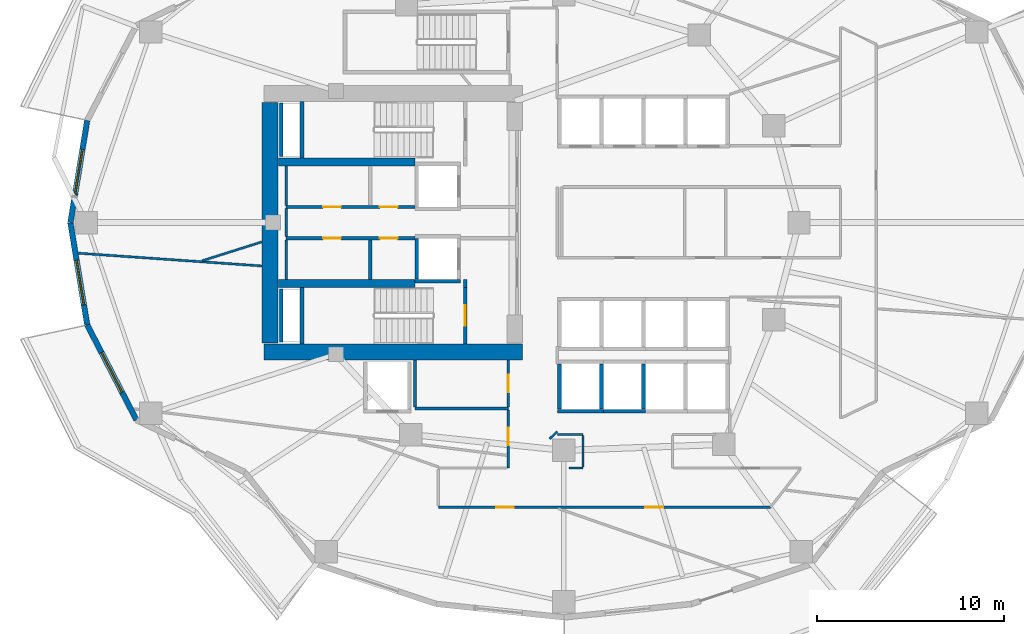
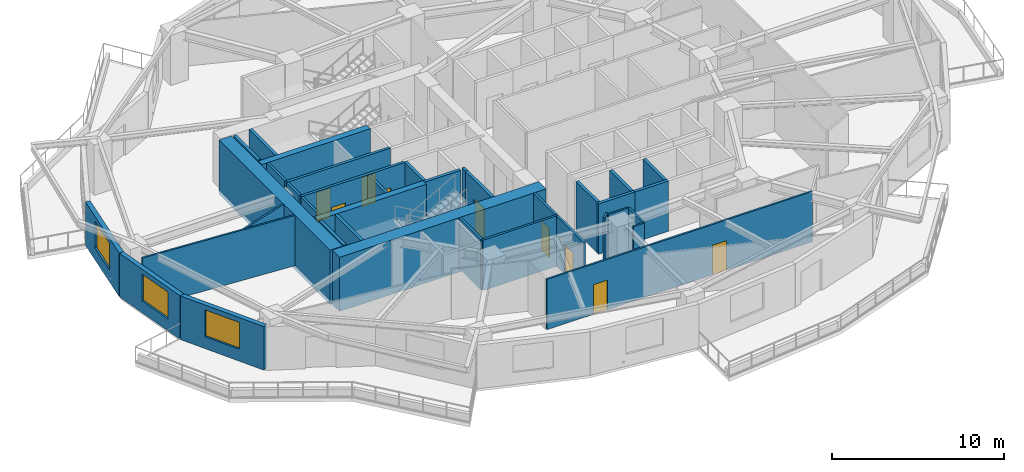
# One storey, part 3 of 11: 37 walls, 9 doors, 3 windows, 12 openings.
"""IFC4 building model written with IfcOpenShell, lengths in metres."""

from ifc_helpers import new_model, si_unit, direction, frame, frame_2d, origin, place, context, subcontext, project, spatial, rectangle, extrude, material, layer, layer_set, type_object, element, fill, save


model = new_model("IFC4")

# Units and contexts
model_context = context("Model", 3, precision=1e-05, world=origin(), true_north=direction((0.0, 1.0)))
body_context = subcontext(model_context, "Body", "Model", "MODEL_VIEW")
ifc_project = project(units=[si_unit("LENGTHUNIT", "METRE"), si_unit("AREAUNIT", "SQUARE_METRE"), si_unit("VOLUMEUNIT", "CUBIC_METRE"), si_unit("PLANEANGLEUNIT", "RADIAN"), si_unit("MASSUNIT", "GRAM", prefix="KILO")], contexts=[model_context])

# Site, building, storey
site_placement = place(None, origin())
site = spatial("IfcSite", under=ifc_project, at=site_placement, CompositionType="ELEMENT")
building_placement = place(site_placement, origin())
building = spatial("IfcBuilding", under=site, at=building_placement, Name="Kolvaren Gate Tower and Convention Centre", CompositionType="ELEMENT")
storey_placement = place(building_placement, frame((0.0, 0.0, 80.39990234375)))
storey = spatial("IfcBuildingStorey", under=building, at=storey_placement, Name="L19", CompositionType="ELEMENT", Elevation=80.39990234375)

# Wall
ifc_material_1 = material(Name="Autoclaved Aerated Masonry Blockwork Class 4 (4.0 MPa)", Category="masonry")
ifc_layer_1 = layer(ifc_material_1, 0.179931640625)
ifc_layer_set_1 = layer_set([ifc_layer_1], Name="Autoclaved Aerated Masonry Blockwork Class 4 (4.0 MPa)")
wall_type_1 = type_object("IfcWallType", Name="ARCH-WL-COMP-180", PredefinedType="SOLIDWALL", material=ifc_layer_set_1)
wall_1_placement = place(storey_placement, frame((24.85009765625, 23.5400390625, 0.0), z_axis=(0.0, 0.0, 1.0), x_axis=(0.0, 1.0, 0.0)))
element("IfcWall", 1, at=wall_1_placement, inside=storey, type_object=wall_type_1, Name="Interior Partition WL-L19-INT-001", PredefinedType="SOLIDWALL", context=body_context, shape_type="SweptSolid", body=[
    extrude(rectangle(XDim=0.419921875, YDim=0.179931640625, at=frame_2d((0.2099609375, 0.0))), origin(), (0.0, 0.0, 1.0), 3.570068359375),
])

# Wall, openings, doors
wall_2_placement = place(storey_placement, frame((15.25, 27.840087890625, 0.0), z_axis=(0.0, 0.0, 1.0), x_axis=(1.0, 0.0, 0.0)))
wall_2 = element("IfcWall", 2, at=wall_2_placement, inside=storey, type_object=wall_type_1, Name="Interior Partition WL-L19-INT-004", PredefinedType="SOLIDWALL", context=body_context, shape_type="SweptSolid", body=[
    extrude(rectangle(XDim=6.89990234375, YDim=0.179931640625, at=frame_2d((3.449951171875, 0.0))), origin(), (0.0, 0.0, 1.0), 3.570068359375),
])
opening_1_placement = place(wall_2_placement, frame((5.02001953125, 0.0, 0.0)))
opening_1 = element("IfcOpeningElement", 3, at=opening_1_placement, cuts=wall_2, Name="Opening DR-01", PredefinedType="OPENING", context=body_context, shape_type="SweptSolid", body=[
    extrude(rectangle(XDim=0.949951171875, YDim=2.10009765625, at=frame_2d((0.47509765625, 1.050048828125))), frame((0.0, 0.099853515625, 0.0), z_axis=(0.0, -1.0, 0.0), x_axis=(1.0, 0.0, 0.0)), (0.0, 0.0, 1.0), 0.199951171875),
])
opening_2_placement = place(wall_2_placement, frame((1.97998046875, 0.0, 0.0)))
opening_2 = element("IfcOpeningElement", 4, at=opening_2_placement, cuts=wall_2, Name="Opening DR-01", PredefinedType="OPENING", context=body_context, shape_type="SweptSolid", body=[
    extrude(rectangle(XDim=0.949951171875, YDim=2.10009765625, at=frame_2d((0.47509765625, 1.050048828125))), frame((0.0, 0.099853515625, 0.0), z_axis=(0.0, -1.0, 0.0), x_axis=(1.0, 0.0, 0.0)), (0.0, 0.0, 1.0), 0.199951171875),
])
ifc_material_2 = material(Name="Painted Architectural Steelwork ASTM A500 Grade C 345 MPa", Category="steel")
door_type_1 = type_object("IfcDoorType", Name="ARCH-DR-RISER-950", OperationType="SINGLE_SWING_RIGHT", PredefinedType="DOOR", material=ifc_material_2)
door_1_placement = place(opening_1_placement, origin())
door_1 = element("IfcDoor", 5, at=door_1_placement, inside=storey, type_object=door_type_1, Name="Electrical Switchgear Closet Door", OperationType="SINGLE_SWING_RIGHT", OverallHeight=2.10009765625, OverallWidth=0.949951171875, PredefinedType="DOOR", context=body_context, shape_type="SweptSolid", body=[
    extrude(rectangle(XDim=0.949951171875, YDim=2.10009765625, at=frame_2d((0.47509765625, 1.050048828125))), frame((0.0, 0.02490234375, 0.0), z_axis=(0.0, -1.0, 0.0), x_axis=(1.0, 0.0, 0.0)), (0.0, 0.0, 1.0), 0.050048828125),
])
fill(opening_1, door_1)
door_2_placement = place(opening_2_placement, origin())
door_2 = element("IfcDoor", 6, at=door_2_placement, inside=storey, type_object=door_type_1, Name="Staff Powder Washroom Door", OperationType="SINGLE_SWING_RIGHT", OverallHeight=2.10009765625, OverallWidth=0.949951171875, PredefinedType="DOOR", context=body_context, shape_type="SweptSolid", body=[
    extrude(rectangle(XDim=0.949951171875, YDim=2.10009765625, at=frame_2d((0.47509765625, 1.050048828125))), frame((0.0, 0.02490234375, 0.0), z_axis=(0.0, -1.0, 0.0), x_axis=(1.0, 0.0, 0.0)), (0.0, 0.0, 1.0), 0.050048828125),
])
fill(opening_2, door_2)

wall_3_placement = place(storey_placement, frame((15.25, 26.159912109375, 0.0), z_axis=(0.0, 0.0, 1.0), x_axis=(1.0, 0.0, 0.0)))
wall_3 = element("IfcWall", 7, at=wall_3_placement, inside=storey, type_object=wall_type_1, Name="Interior Partition WL-L19-INT-005", PredefinedType="SOLIDWALL", context=body_context, shape_type="SweptSolid", body=[
    extrude(rectangle(XDim=6.89990234375, YDim=0.179931640625, at=frame_2d((3.449951171875, 0.0))), origin(), (0.0, 0.0, 1.0), 3.570068359375),
])
opening_3_placement = place(wall_3_placement, frame((5.02001953125, 0.0, 0.0)))
opening_3 = element("IfcOpeningElement", 8, at=opening_3_placement, cuts=wall_3, Name="Opening DR-01", PredefinedType="OPENING", context=body_context, shape_type="SweptSolid", body=[
    extrude(rectangle(XDim=0.949951171875, YDim=2.10009765625, at=frame_2d((0.47509765625, 1.050048828125))), frame((0.0, 0.099853515625, 0.0), z_axis=(0.0, -1.0, 0.0), x_axis=(1.0, 0.0, 0.0)), (0.0, 0.0, 1.0), 0.199951171875),
])
opening_4_placement = place(wall_3_placement, frame((1.97998046875, 0.0, 0.0)))
opening_4 = element("IfcOpeningElement", 9, at=opening_4_placement, cuts=wall_3, Name="Opening DR-01", PredefinedType="OPENING", context=body_context, shape_type="SweptSolid", body=[
    extrude(rectangle(XDim=0.949951171875, YDim=2.10009765625, at=frame_2d((0.47509765625, 1.050048828125))), frame((0.0, 0.099853515625, 0.0), z_axis=(0.0, -1.0, 0.0), x_axis=(1.0, 0.0, 0.0)), (0.0, 0.0, 1.0), 0.199951171875),
])
door_3_placement = place(opening_3_placement, origin())
door_3 = element("IfcDoor", 10, at=door_3_placement, inside=storey, type_object=door_type_1, Name="Domestic Water Meter Closet Door", OperationType="SINGLE_SWING_LEFT", OverallHeight=2.10009765625, OverallWidth=0.949951171875, PredefinedType="DOOR", context=body_context, shape_type="SweptSolid", body=[
    extrude(rectangle(XDim=0.949951171875, YDim=2.10009765625, at=frame_2d((0.47509765625, 1.050048828125))), frame((0.0, 0.02490234375, 0.0), z_axis=(0.0, -1.0, 0.0), x_axis=(1.0, 0.0, 0.0)), (0.0, 0.0, 1.0), 0.050048828125),
])
fill(opening_3, door_3)
door_4_placement = place(opening_4_placement, origin())
door_4 = element("IfcDoor", 11, at=door_4_placement, inside=storey, type_object=door_type_1, Name="Janitor Equipment Store Door", OperationType="SINGLE_SWING_LEFT", OverallHeight=2.10009765625, OverallWidth=0.949951171875, PredefinedType="DOOR", context=body_context, shape_type="SweptSolid", body=[
    extrude(rectangle(XDim=0.949951171875, YDim=2.10009765625, at=frame_2d((0.47509765625, 1.050048828125))), frame((0.0, 0.02490234375, 0.0), z_axis=(0.0, -1.0, 0.0), x_axis=(1.0, 0.0, 0.0)), (0.0, 0.0, 1.0), 0.050048828125),
])
fill(opening_4, door_4)

# Walls
wall_4_placement = place(storey_placement, frame((19.75, 23.9619140625, 0.0), z_axis=(0.0, 0.0, 1.0), x_axis=(0.0, 1.0, 0.0)))
element("IfcWall", 12, at=wall_4_placement, inside=storey, type_object=wall_type_1, Name="Interior Partition WL-L19-INT-007", PredefinedType="SOLIDWALL", context=body_context, shape_type="SweptSolid", body=[
    extrude(rectangle(XDim=2.106201171875, YDim=0.179931640625, at=frame_2d((1.05322265625, 0.0))), origin(), (0.0, 0.0, 1.0), 3.570068359375),
])
ifc_material_3 = material(Name="Fire-Rated Acoustic Gypsum Stud Partition", Category="gypsum")
ifc_layer_2 = layer(ifc_material_3, 0.1201171875)
ifc_layer_set_2 = layer_set([ifc_layer_2], Name="Fire-Rated Acoustic Gypsum Stud Partition")
wall_type_2 = type_object("IfcWallType", Name="ARCH-WL-PART-120", PredefinedType="PARTITIONING", material=ifc_layer_set_2)
wall_5_placement = place(storey_placement, frame((29.780029296875, 15.64990234375, 0.0), z_axis=(0.0, 0.0, 1.0), x_axis=(1.0, 0.0, 0.0)))
element("IfcWall", 13, at=wall_5_placement, inside=storey, type_object=wall_type_2, Name="Interior Partition WL-L19-INT-017", PredefinedType="PARTITIONING", context=body_context, shape_type="SweptSolid", body=[
    extrude(rectangle(XDim=1.369873046875, YDim=0.1201171875, at=frame_2d((0.68505859375, 0.0))), origin(), (0.0, 0.0, 1.0), 3.570068359375),
])
wall_6_placement = place(storey_placement, frame((30.39111328125, 13.85009765625, 0.0), z_axis=(0.0, 0.0, 1.0), x_axis=(1.0, 0.0, 0.0)))
element("IfcWall", 14, at=wall_6_placement, inside=storey, type_object=wall_type_2, Name="Interior Partition WL-L19-INT-021", PredefinedType="PARTITIONING", context=body_context, shape_type="SweptSolid", body=[
    extrude(rectangle(XDim=0.7587890625, YDim=0.1201171875, at=frame_2d((0.37939453125, 0.0))), origin(), (0.0, 0.0, 1.0), 3.570068359375),
])

# Wall, openings, doors
wall_7_placement = place(storey_placement, frame((23.39990234375, 11.75, 0.0), z_axis=(0.0, 0.0, 1.0), x_axis=(1.0, 0.0, 0.0)))
wall_7 = element("IfcWall", 15, at=wall_7_placement, inside=storey, type_object=wall_type_2, Name="Interior Partition WL-L19-INT-024", PredefinedType="PARTITIONING", context=body_context, shape_type="SweptSolid", body=[
    extrude(rectangle(XDim=17.798095703125, YDim=0.1201171875, at=frame_2d((8.89892578125, 0.0))), origin(), (0.0, 0.0, 1.0), 3.570068359375),
])
opening_5_placement = place(wall_7_placement, frame((3.09375, 0.0, 0.0)))
opening_5 = element("IfcOpeningElement", 16, at=opening_5_placement, cuts=wall_7, Name="Opening DR-01", PredefinedType="OPENING", context=body_context, shape_type="SweptSolid", body=[
    extrude(rectangle(XDim=0.949951171875, YDim=2.10009765625, at=frame_2d((0.47509765625, 1.050048828125))), frame((0.0, 0.070068359375, 0.0), z_axis=(0.0, -1.0, 0.0), x_axis=(1.0, 0.0, 0.0)), (0.0, 0.0, 1.0), 0.14013671875),
])
opening_6_placement = place(wall_7_placement, frame((11.09130859375, 0.0, 0.0)))
opening_6 = element("IfcOpeningElement", 17, at=opening_6_placement, cuts=wall_7, Name="Opening DR-01", PredefinedType="OPENING", context=body_context, shape_type="SweptSolid", body=[
    extrude(rectangle(XDim=0.949951171875, YDim=2.10009765625, at=frame_2d((0.47509765625, 1.050048828125))), frame((0.0, 0.070068359375, 0.0), z_axis=(0.0, -1.0, 0.0), x_axis=(1.0, 0.0, 0.0)), (0.0, 0.0, 1.0), 0.14013671875),
])
door_5_placement = place(opening_5_placement, origin())
door_5 = element("IfcDoor", 18, at=door_5_placement, inside=storey, type_object=door_type_1, Name="Operations Support Staff Centre Door", OperationType="SINGLE_SWING_RIGHT", OverallHeight=2.10009765625, OverallWidth=0.949951171875, PredefinedType="DOOR", context=body_context, shape_type="SweptSolid", body=[
    extrude(rectangle(XDim=0.949951171875, YDim=2.10009765625, at=frame_2d((0.47509765625, 1.050048828125))), frame((0.0, 0.02490234375, 0.0), z_axis=(0.0, -1.0, 0.0), x_axis=(1.0, 0.0, 0.0)), (0.0, 0.0, 1.0), 0.050048828125),
])
fill(opening_5, door_5)
door_6_placement = place(opening_6_placement, origin())
door_6 = element("IfcDoor", 19, at=door_6_placement, inside=storey, type_object=door_type_1, Name="First-Aid Crew Room Door", OperationType="SINGLE_SWING_LEFT", OverallHeight=2.10009765625, OverallWidth=0.949951171875, PredefinedType="DOOR", context=body_context, shape_type="SweptSolid", body=[
    extrude(rectangle(XDim=0.949951171875, YDim=2.10009765625, at=frame_2d((0.47509765625, 1.050048828125))), frame((0.0, 0.02490234375, 0.0), z_axis=(0.0, -1.0, 0.0), x_axis=(1.0, 0.0, 0.0)), (0.0, 0.0, 1.0), 0.050048828125),
])
fill(opening_6, door_6)

# Walls
wall_8_placement = place(storey_placement, frame((29.366943359375, 15.422119140625, 0.0), z_axis=(0.0, 0.0, 1.0), x_axis=(0.730667420492, 0.682733564893, 0.0)))
element("IfcWall", 20, at=wall_8_placement, inside=storey, type_object=wall_type_2, Name="Interior Partition WL-L19-INT-040", PredefinedType="PARTITIONING", context=body_context, shape_type="SweptSolid", body=[
    extrude(rectangle(XDim=0.5654296875, YDim=0.1201171875, at=frame_2d((0.28271484375, 0.0))), origin(), (0.0, 0.0, 1.0), 3.570068359375),
])
wall_9_placement = place(storey_placement, frame((31.14990234375, 13.912109375, 0.0), z_axis=(0.0, 0.0, 1.0), x_axis=(0.0, 1.0, 0.0)))
element("IfcWall", 21, at=wall_9_placement, inside=storey, type_object=wall_type_2, Name="Interior Partition WL-L19-INT-041", PredefinedType="PARTITIONING", context=body_context, shape_type="SweptSolid", body=[
    extrude(rectangle(XDim=1.67578125, YDim=0.1201171875, at=frame_2d((0.837890625, 0.0))), origin(), (0.0, 0.0, 1.0), 3.570068359375),
])
wall_10_placement = place(storey_placement, frame((4.1103515625, 25.365966796875, 0.0), z_axis=(0.0, 0.0, 1.0), x_axis=(0.997584166379, -0.069468201287, 0.0)))
element("IfcWall", 22, at=wall_10_placement, inside=storey, type_object=wall_type_2, Name="Interior Partition WL-L19-INT-042", PredefinedType="PARTITIONING", context=body_context, shape_type="SweptSolid", body=[
    extrude(rectangle(XDim=9.861572265625, YDim=0.1201171875, at=frame_2d((4.9306640625, 0.0))), origin(), (0.0, 0.0, 1.0), 3.570068359375),
])
wall_11_placement = place(storey_placement, frame((10.76220703125, 24.965087890625, 0.0), z_axis=(0.0, 0.0, 1.0), x_axis=(0.953640082092, 0.300949487168, 0.0)))
element("IfcWall", 23, at=wall_11_placement, inside=storey, type_object=wall_type_2, Name="Interior Partition WL-L19-INT-049", PredefinedType="PARTITIONING", context=body_context, shape_type="SweptSolid", body=[
    extrude(rectangle(XDim=3.340576171875, YDim=0.1201171875, at=frame_2d((1.67041015625, 0.0))), origin(), (0.0, 0.0, 1.0), 3.570068359375),
])
ifc_layer_3 = layer(ifc_material_1, 0.199951171875)
ifc_layer_set_3 = layer_set([ifc_layer_3], Name="Autoclaved Aerated Masonry Blockwork Class 4 (4.0 MPa)")
wall_type_3 = type_object("IfcWallType", Name="ARCH-WL-SHAFT-200", PredefinedType="SOLIDWALL", material=ifc_layer_set_3)
wall_12_placement = place(storey_placement, frame((22.14990234375, 23.860107421875, 0.0), z_axis=(0.0, 0.0, 1.0), x_axis=(1.0, 0.0, 0.0)))
element("IfcWall", 24, at=wall_12_placement, inside=storey, type_object=wall_type_3, Name="Elevator FF-02 L19 Fire Shaft Wall S", PredefinedType="SOLIDWALL", context=body_context, shape_type="SweptSolid", body=[
    extrude(rectangle(XDim=2.4501953125, YDim=0.199951171875, at=frame_2d((1.22509765625, 0.0))), origin(), (0.0, 0.0, 1.0), 3.570068359375),
])
wall_13_placement = place(storey_placement, frame((22.25, 23.969970703125, 0.0), z_axis=(0.0, 0.0, 1.0), x_axis=(0.0, 1.0, 0.0)))
element("IfcWall", 25, at=wall_13_placement, inside=storey, type_object=wall_type_3, Name="Elevator FF-02 L19 Fire Shaft Wall W", PredefinedType="SOLIDWALL", context=body_context, shape_type="SweptSolid", body=[
    extrude(rectangle(XDim=2.179931640625, YDim=0.199951171875, at=frame_2d((1.08984375, 0.0))), origin(), (0.0, 0.0, 1.0), 3.570068359375),
])
wall_14_placement = place(storey_placement, frame((29.800048828125, 16.89990234375, 0.0), z_axis=(0.0, 0.0, 1.0), x_axis=(1.0, 0.0, 0.0)))
element("IfcWall", 26, at=wall_14_placement, inside=storey, type_object=wall_type_3, Name="Elevator PL-05 L19 Fire Shaft Wall S", PredefinedType="SOLIDWALL", context=body_context, shape_type="SweptSolid", body=[
    extrude(rectangle(XDim=2.449951171875, YDim=0.199951171875, at=frame_2d((1.22509765625, 0.0))), origin(), (0.0, 0.0, 1.0), 3.570068359375),
])
for number, where, z_axis, x_axis, name in (
    (27, (29.89990234375, 17.010009765625, 0.0), (0.0, 0.0, 1.0), (0.0, 1.0, 0.0), "Elevator PL-05 L19 Fire Shaft Wall W"),
    (28, (32.14990234375, 17.010009765625, 0.0), (0.0, 0.0, 1.0), (0.0, 1.0, 0.0), "Elevator PL-05 L19 Fire Shaft Wall E"),
):
    element("IfcWall", number, at=place(storey_placement, frame(where, z_axis=z_axis, x_axis=x_axis)), inside=storey, type_object=wall_type_3, Name=name, PredefinedType="SOLIDWALL", context=body_context, shape_type="SweptSolid", body=[
        extrude(rectangle(XDim=2.429931640625, YDim=0.199951171875, at=frame_2d((1.21484375, 0.0))), origin(), (0.0, 0.0, 1.0), 3.570068359375),
    ])
wall_15_placement = place(storey_placement, frame((32.25, 16.89990234375, 0.0), z_axis=(0.0, 0.0, 1.0), x_axis=(1.0, 0.0, 0.0)))
element("IfcWall", 29, at=wall_15_placement, inside=storey, type_object=wall_type_3, Name="Elevator PL-06 L19 Fire Shaft Wall S", PredefinedType="SOLIDWALL", context=body_context, shape_type="SweptSolid", body=[
    extrude(rectangle(XDim=2.25, YDim=0.199951171875, at=frame_2d((1.125, 0.0))), origin(), (0.0, 0.0, 1.0), 3.570068359375),
])
wall_16_placement = place(storey_placement, frame((34.39990234375, 17.010009765625, 0.0), z_axis=(0.0, 0.0, 1.0), x_axis=(0.0, 1.0, 0.0)))
element("IfcWall", 30, at=wall_16_placement, inside=storey, type_object=wall_type_3, Name="Elevator PL-06 L19 Fire Shaft Wall E", PredefinedType="SOLIDWALL", context=body_context, shape_type="SweptSolid", body=[
    extrude(rectangle(XDim=2.429931640625, YDim=0.199951171875, at=frame_2d((1.21484375, 0.0))), origin(), (0.0, 0.0, 1.0), 3.570068359375),
])
for number, where, z_axis, x_axis, name in (
    (31, (14.989990234375, 30.550048828125, 0.0), (0.0, 0.0, 1.0), (0.0, 1.0, 0.0), "Vertical Shaft HVR L19 EI-120 Enclosure Wall W"),
    (32, (14.989990234375, 20.60009765625, 0.0), (0.0, 0.0, 1.0), (0.0, 1.0, 0.0), "Vertical Shaft MPR L19 EI-120 Enclosure Wall W"),
):
    element("IfcWall", number, at=place(storey_placement, frame(where, z_axis=z_axis, x_axis=x_axis)), inside=storey, type_object=wall_type_3, Name=name, PredefinedType="SOLIDWALL", context=body_context, shape_type="SweptSolid", body=[
        extrude(rectangle(XDim=2.849853515625, YDim=0.199951171875, at=frame_2d((1.4248046875, 0.0))), origin(), (0.0, 0.0, 1.0), 3.570068359375),
    ])

# Wall, opening, window
ifc_material_4 = material(Name="Piedmont Cream Honed Limestone Cladding", Category="masonry")
ifc_layer_4 = layer(ifc_material_4, 0.300048828125)
ifc_layer_set_4 = layer_set([ifc_layer_4], Name="Piedmont Cream Honed Limestone Cladding")
wall_type_4 = type_object("IfcWallType", Name="ARCH-WL-STONE-300", PredefinedType="SOLIDWALL", material=ifc_layer_set_4)
wall_17_placement = place(storey_placement, frame((3.6875, 27.0, 0.0), z_axis=(0.0, 0.0, 1.0), x_axis=(0.162386212206, 0.986727276447, 0.0)))
wall_17 = element("IfcWall", 33, at=wall_17_placement, inside=storey, type_object=wall_type_4, Name="Tower L19 Honed Stone Spandrel Wall EW-11", PredefinedType="SOLIDWALL", context=body_context, shape_type="SweptSolid", body=[
    extrude(rectangle(XDim=5.5478515625, YDim=0.300048828125, at=frame_2d((2.77392578125, 0.0))), origin(), (0.0, 0.0, 1.0), 3.093017578125),
])
opening_7_placement = place(wall_17_placement, frame((1.573974609375, 0.0, 0.85009765625)))
opening_7 = element("IfcOpeningElement", 34, at=opening_7_placement, cuts=wall_17, Name="Opening W-01", PredefinedType="OPENING", context=body_context, shape_type="SweptSolid", body=[
    extrude(rectangle(XDim=2.39990234375, YDim=1.89990234375, at=frame_2d((1.199951171875, 0.949951171875))), frame((0.0, 0.159912109375, 0.0), z_axis=(0.0, -1.0, 0.0), x_axis=(1.0, 0.0, 0.0)), (0.0, 0.0, 1.0), 0.320068359375),
])
ifc_material_5 = material(Name="Low-E Triple Insulated Glazing Unit 44 mm", Category="glass")
window_type = type_object("IfcWindowType", Name="ARCH-WN-OFF-2400", PartitioningType="SINGLE_PANEL", PredefinedType="WINDOW", material=ifc_material_5)
window_1_placement = place(opening_7_placement, origin())
window_1 = element("IfcWindow", 35, at=window_1_placement, inside=storey, type_object=window_type, Name="Tower L19 Punched Stone Facade Window W-11", OverallHeight=1.89990234375, OverallWidth=2.39990234375, PartitioningType="SINGLE_PANEL", PredefinedType="WINDOW", context=body_context, shape_type="SweptSolid", body=[
    extrude(rectangle(XDim=2.39990234375, YDim=1.89990234375, at=frame_2d((1.199951171875, 0.949951171875))), frame((0.0, 0.030029296875, 0.0), z_axis=(0.0, -1.0, 0.0), x_axis=(1.0, 0.0, 0.0)), (0.0, 0.0, 1.0), 0.06005859375),
])
fill(opening_7, window_1)

wall_18_placement = place(storey_placement, frame((3.6875, 27.0, 0.0), z_axis=(0.0, 0.0, 1.0), x_axis=(0.162386212206, -0.986727276447, 0.0)))
wall_18 = element("IfcWall", 36, at=wall_18_placement, inside=storey, type_object=wall_type_4, Name="Tower L19 Honed Stone Spandrel Wall EW-12", PredefinedType="SOLIDWALL", context=body_context, shape_type="SweptSolid", body=[
    extrude(rectangle(XDim=5.5478515625, YDim=0.300048828125, at=frame_2d((2.77392578125, 0.0))), origin(), (0.0, 0.0, 1.0), 3.093017578125),
])
opening_8_placement = place(wall_18_placement, frame((2.050048828125, 0.0, 0.85009765625)))
opening_8 = element("IfcOpeningElement", 37, at=opening_8_placement, cuts=wall_18, Name="Opening W-01", PredefinedType="OPENING", context=body_context, shape_type="SweptSolid", body=[
    extrude(rectangle(XDim=2.39990234375, YDim=1.89990234375, at=frame_2d((1.199951171875, 0.949951171875))), frame((0.0, 0.159912109375, 0.0), z_axis=(0.0, -1.0, 0.0), x_axis=(1.0, 0.0, 0.0)), (0.0, 0.0, 1.0), 0.320068359375),
])
window_2_placement = place(opening_8_placement, origin())
window_2 = element("IfcWindow", 38, at=window_2_placement, inside=storey, type_object=window_type, Name="Tower L19 Punched Stone Facade Window W-12", OverallHeight=1.89990234375, OverallWidth=2.39990234375, PartitioningType="SINGLE_PANEL", PredefinedType="WINDOW", context=body_context, shape_type="SweptSolid", body=[
    extrude(rectangle(XDim=2.39990234375, YDim=1.89990234375, at=frame_2d((1.199951171875, 0.949951171875))), frame((0.0, 0.030029296875, 0.0), z_axis=(0.0, -1.0, 0.0), x_axis=(1.0, 0.0, 0.0)), (0.0, 0.0, 1.0), 0.06005859375),
])
fill(opening_8, window_2)

wall_19_placement = place(storey_placement, frame((4.58837890625, 21.52587890625, 0.0), z_axis=(0.0, 0.0, 1.0), x_axis=(0.459800981414, -0.888021991558, 0.0)))
wall_19 = element("IfcWall", 39, at=wall_19_placement, inside=storey, type_object=wall_type_4, Name="Tower L19 Honed Stone Spandrel Wall EW-13", PredefinedType="SOLIDWALL", context=body_context, shape_type="SweptSolid", body=[
    extrude(rectangle(XDim=5.744140625, YDim=0.300048828125, at=frame_2d((2.8720703125, 0.0))), origin(), (0.0, 0.0, 1.0), 3.093017578125),
])
opening_9_placement = place(wall_19_placement, frame((1.672119140625, 0.0, 0.85009765625)))
opening_9 = element("IfcOpeningElement", 40, at=opening_9_placement, cuts=wall_19, Name="Opening W-01", PredefinedType="OPENING", context=body_context, shape_type="SweptSolid", body=[
    extrude(rectangle(XDim=2.39990234375, YDim=1.89990234375, at=frame_2d((1.199951171875, 0.949951171875))), frame((0.0, 0.159912109375, 0.0), z_axis=(0.0, -1.0, 0.0), x_axis=(1.0, 0.0, 0.0)), (0.0, 0.0, 1.0), 0.320068359375),
])
window_3_placement = place(opening_9_placement, origin())
window_3 = element("IfcWindow", 41, at=window_3_placement, inside=storey, type_object=window_type, Name="Tower L19 Punched Stone Facade Window W-13", OverallHeight=1.89990234375, OverallWidth=2.39990234375, PartitioningType="SINGLE_PANEL", PredefinedType="WINDOW", context=body_context, shape_type="SweptSolid", body=[
    extrude(rectangle(XDim=2.39990234375, YDim=1.89990234375, at=frame_2d((1.199951171875, 0.949951171875))), frame((0.0, 0.030029296875, 0.0), z_axis=(0.0, -1.0, 0.0), x_axis=(1.0, 0.0, 0.0)), (0.0, 0.0, 1.0), 0.06005859375),
])
fill(opening_9, window_3)

# Walls
ifc_material_6 = material(Name="Moisture-Resistant Cement-Board Acoustic Partition", Category="gypsum")
ifc_layer_5 = layer(ifc_material_6, 0.14990234375)
ifc_layer_set_5 = layer_set([ifc_layer_5], Name="Moisture-Resistant Cement-Board Acoustic Partition")
wall_type_5 = type_object("IfcWallType", Name="ARCH-WL-WET-150", PredefinedType="PARTITIONING", material=ifc_layer_set_5)
wall_20_placement = place(storey_placement, frame((15.25, 23.9619140625, 0.0), z_axis=(0.0, 0.0, 1.0), x_axis=(0.0, 1.0, 0.0)))
element("IfcWall", 42, at=wall_20_placement, inside=storey, type_object=wall_type_5, Name="Interior Partition WL-L19-INT-006", PredefinedType="PARTITIONING", context=body_context, shape_type="SweptSolid", body=[
    extrude(rectangle(XDim=2.106201171875, YDim=0.14990234375, at=frame_2d((1.05322265625, 0.0))), origin(), (0.0, 0.0, 1.0), 3.570068359375),
])
wall_21_placement = place(storey_placement, frame((15.25, 26.251953125, 0.0), z_axis=(0.0, 0.0, 1.0), x_axis=(0.0, 1.0, 0.0)))
element("IfcWall", 43, at=wall_21_placement, inside=storey, type_object=wall_type_5, Name="Interior Partition WL-L19-INT-006 (2)", PredefinedType="PARTITIONING", context=body_context, shape_type="SweptSolid", body=[
    extrude(rectangle(XDim=1.49609375, YDim=0.14990234375, at=frame_2d((0.748046875, 0.0))), origin(), (0.0, 0.0, 1.0), 3.570068359375),
])
wall_22_placement = place(storey_placement, frame((15.25, 27.931884765625, 0.0), z_axis=(0.0, 0.0, 1.0), x_axis=(0.0, 1.0, 0.0)))
element("IfcWall", 44, at=wall_22_placement, inside=storey, type_object=wall_type_5, Name="Interior Partition WL-L19-INT-006 (3)", PredefinedType="PARTITIONING", context=body_context, shape_type="SweptSolid", body=[
    extrude(rectangle(XDim=2.106201171875, YDim=0.14990234375, at=frame_2d((1.05322265625, 0.0))), origin(), (0.0, 0.0, 1.0), 3.570068359375),
])
wall_23_placement = place(storey_placement, frame((22.14990234375, 17.050048828125, 0.0), z_axis=(0.0, 0.0, 1.0), x_axis=(1.0, 0.0, 0.0)))
element("IfcWall", 45, at=wall_23_placement, inside=storey, type_object=wall_type_5, Name="Interior Partition WL-L19-INT-009", PredefinedType="PARTITIONING", context=body_context, shape_type="SweptSolid", body=[
    extrude(rectangle(XDim=5.0, YDim=0.14990234375, at=frame_2d((2.5, 0.0))), origin(), (0.0, 0.0, 1.0), 3.570068359375),
])
wall_24_placement = place(storey_placement, frame((22.14990234375, 17.126953125, 0.0), z_axis=(0.0, 0.0, 1.0), x_axis=(0.0, 1.0, 0.0)))
element("IfcWall", 46, at=wall_24_placement, inside=storey, type_object=wall_type_5, Name="Interior Partition WL-L19-INT-010", PredefinedType="PARTITIONING", context=body_context, shape_type="SweptSolid", body=[
    extrude(rectangle(XDim=2.52099609375, YDim=0.14990234375, at=frame_2d((1.260498046875, 0.0))), origin(), (0.0, 0.0, 1.0), 3.570068359375),
])

# Wall, opening, door
wall_25_placement = place(storey_placement, frame((27.14990234375, 13.85009765625, 0.0), z_axis=(0.0, 0.0, 1.0), x_axis=(0.0, 1.0, 0.0)))
wall_25 = element("IfcWall", 47, at=wall_25_placement, inside=storey, type_object=wall_type_5, Name="Interior Partition WL-L19-INT-011", PredefinedType="PARTITIONING", context=body_context, shape_type="SweptSolid", body=[
    extrude(rectangle(XDim=3.122802734375, YDim=0.14990234375, at=frame_2d((1.5615234375, 0.0))), origin(), (0.0, 0.0, 1.0), 3.570068359375),
])
opening_10_placement = place(wall_25_placement, frame((1.218017578125, 0.0, 0.0)))
opening_10 = element("IfcOpeningElement", 48, at=opening_10_placement, cuts=wall_25, Name="Opening DR-01", PredefinedType="OPENING", context=body_context, shape_type="SweptSolid", body=[
    extrude(rectangle(XDim=0.949951171875, YDim=2.10009765625, at=frame_2d((0.47509765625, 1.050048828125))), frame((0.0, 0.0849609375, 0.0), z_axis=(0.0, -1.0, 0.0), x_axis=(1.0, 0.0, 0.0)), (0.0, 0.0, 1.0), 0.169921875),
])
door_7_placement = place(opening_10_placement, origin())
door_7 = element("IfcDoor", 49, at=door_7_placement, inside=storey, type_object=door_type_1, Name="Operations Support Staff Centre Door", OperationType="SINGLE_SWING_LEFT", OverallHeight=2.10009765625, OverallWidth=0.949951171875, PredefinedType="DOOR", context=body_context, shape_type="SweptSolid", body=[
    extrude(rectangle(XDim=0.949951171875, YDim=2.10009765625, at=frame_2d((0.47509765625, 1.050048828125))), frame((0.0, 0.02490234375, 0.0), z_axis=(0.0, -1.0, 0.0), x_axis=(1.0, 0.0, 0.0)), (0.0, 0.0, 1.0), 0.050048828125),
])
fill(opening_10, door_7)

wall_26_placement = place(storey_placement, frame((27.14990234375, 17.126953125, 0.0), z_axis=(0.0, 0.0, 1.0), x_axis=(0.0, 1.0, 0.0)))
wall_26 = element("IfcWall", 50, at=wall_26_placement, inside=storey, type_object=wall_type_5, Name="Interior Partition WL-L19-INT-011 (2)", PredefinedType="PARTITIONING", context=body_context, shape_type="SweptSolid", body=[
    extrude(rectangle(XDim=2.52099609375, YDim=0.14990234375, at=frame_2d((1.260498046875, 0.0))), origin(), (0.0, 0.0, 1.0), 3.570068359375),
])
opening_11_placement = place(wall_26_placement, frame((0.785400390625, 0.0, 0.0)))
opening_11 = element("IfcOpeningElement", 51, at=opening_11_placement, cuts=wall_26, Name="Opening DR-01", PredefinedType="OPENING", context=body_context, shape_type="SweptSolid", body=[
    extrude(rectangle(XDim=0.949951171875, YDim=2.10009765625, at=frame_2d((0.47509765625, 1.050048828125))), frame((0.0, 0.0849609375, 0.0), z_axis=(0.0, -1.0, 0.0), x_axis=(1.0, 0.0, 0.0)), (0.0, 0.0, 1.0), 0.169921875),
])
door_8_placement = place(opening_11_placement, origin())
door_8 = element("IfcDoor", 52, at=door_8_placement, inside=storey, type_object=door_type_1, Name="West Linen and Supply Store Door", OperationType="SINGLE_SWING_RIGHT", OverallHeight=2.10009765625, OverallWidth=0.949951171875, PredefinedType="DOOR", context=body_context, shape_type="SweptSolid", body=[
    extrude(rectangle(XDim=0.949951171875, YDim=2.10009765625, at=frame_2d((0.47509765625, 1.050048828125))), frame((0.0, 0.02490234375, 0.0), z_axis=(0.0, -1.0, 0.0), x_axis=(1.0, 0.0, 0.0)), (0.0, 0.0, 1.0), 0.050048828125),
])
fill(opening_11, door_8)

# Walls
ifc_material_7 = material(Name="Concrete C50/60", Category="concrete")
ifc_layer_6 = layer(ifc_material_7, 0.419921875)
ifc_layer_set_6 = layer_set([ifc_layer_6], Name="Concrete C50/60")
wall_type_6 = type_object("IfcWallType", Name="STR-WL-CONV-420", PredefinedType="SHEAR", material=ifc_layer_set_6)
for number, where, z_axis, x_axis, name in (
    (53, (14.85009765625, 30.25, -0.27978515625), (0.0, 0.0, 1.0), (1.0, 0.0, 0.0), "Tower L19 Offset Core Shear Wall WN"),
    (54, (14.85009765625, 23.75, -0.27978515625), (0.0, 0.0, 1.0), (1.0, 0.0, 0.0), "Tower L19 Offset Core Shear Wall WS"),
):
    element("IfcWall", number, at=place(storey_placement, frame(where, z_axis=z_axis, x_axis=x_axis)), inside=storey, type_object=wall_type_6, Name=name, PredefinedType="SHEAR", context=body_context, shape_type="SweptSolid", body=[
        extrude(rectangle(XDim=7.2998046875, YDim=0.419921875, at=frame_2d((3.64990234375, 0.0))), origin(), (0.0, 0.0, 1.0), 3.849853515625),
    ])
ifc_material_8 = material(Name="Concrete C70/85", Category="concrete")
ifc_layer_7 = layer(ifc_material_8, 0.85009765625)
ifc_layer_set_7 = layer_set([ifc_layer_7], Name="Concrete C70/85")
wall_type_7 = type_object("IfcWallType", Name="STR-WL-CORE-850", PredefinedType="SHEAR", material=ifc_layer_set_7)
wall_27_placement = place(storey_placement, frame((14.074951171875, 20.074951171875, -0.27978515625), z_axis=(0.0, 0.0, 1.0), x_axis=(1.0, 0.0, 0.0)))
element("IfcWall", 55, at=wall_27_placement, inside=storey, type_object=wall_type_7, Name="Tower L19 Offset Core Shear Wall S", PredefinedType="SHEAR", context=body_context, shape_type="SweptSolid", body=[
    extrude(rectangle(XDim=13.85009765625, YDim=0.85009765625, at=frame_2d((6.925048828125, 0.0))), origin(), (0.0, 0.0, 1.0), 3.849853515625),
])
wall_28_placement = place(storey_placement, frame((14.375, 20.550048828125, -0.27978515625), z_axis=(0.0, 0.0, 1.0), x_axis=(0.0, 1.0, 0.0)))
element("IfcWall", 56, at=wall_28_placement, inside=storey, type_object=wall_type_7, Name="Tower L19 Offset Core Shear Wall W", PredefinedType="SHEAR", context=body_context, shape_type="SweptSolid", body=[
    extrude(rectangle(XDim=12.89990234375, YDim=0.85009765625, at=frame_2d((6.449951171875, 0.0))), origin(), (0.0, 0.0, 1.0), 3.849853515625),
])
ifc_layer_8 = layer(ifc_material_7, 0.199951171875)
ifc_layer_set_8 = layer_set([ifc_layer_8], Name="Concrete C50/60")
wall_type_8 = type_object("IfcWallType", Name="STR-WL-SHAFT-200", PredefinedType="SHEAR", material=ifc_layer_set_8)
wall_29_placement = place(storey_placement, frame((16.10009765625, 30.4619140625, -0.27978515625), z_axis=(0.0, 0.0, 1.0), x_axis=(0.0, 1.0, 0.0)))
element("IfcWall", 57, at=wall_29_placement, inside=storey, type_object=wall_type_8, Name="Tower North Exit Stair ST-T1 L19 Structural Shear Enclosure Wall FAR", PredefinedType="SHEAR", context=body_context, shape_type="SweptSolid", body=[
    extrude(rectangle(XDim=3.0361328125, YDim=0.199951171875, at=frame_2d((1.51806640625, 0.0))), origin(), (0.0, 0.0, 1.0), 3.849853515625),
])

# Wall, opening, door
wall_30_placement = place(storey_placement, frame((24.85009765625, 20.501953125, -0.27978515625), z_axis=(0.0, 0.0, 1.0), x_axis=(0.0, 1.0, 0.0)))
wall_30 = element("IfcWall", 58, at=wall_30_placement, inside=storey, type_object=wall_type_8, Name="Tower South Exit Stair ST-T2 L19 Structural Shear Enclosure Wall NEAR", PredefinedType="SHEAR", context=body_context, shape_type="SweptSolid", body=[
    extrude(rectangle(XDim=3.0380859375, YDim=0.199951171875, at=frame_2d((1.51904296875, 0.0))), origin(), (0.0, 0.0, 1.0), 3.849853515625),
])
opening_12_placement = place(wall_30_placement, frame((0.968994140625, 0.0, 0.280029296875)))
opening_12 = element("IfcOpeningElement", 59, at=opening_12_placement, cuts=wall_30, Name="Opening DS-01", PredefinedType="OPENING", context=body_context, shape_type="SweptSolid", body=[
    extrude(rectangle(XDim=1.10009765625, YDim=2.14990234375, at=frame_2d((0.550048828125, 1.074951171875))), frame((0.0, 0.10986328125, 0.0), z_axis=(0.0, -1.0, 0.0), x_axis=(1.0, 0.0, 0.0)), (0.0, 0.0, 1.0), 0.219970703125),
])
door_type_2 = type_object("IfcDoorType", Name="ARCH-DR-STAIR-1100", OperationType="SINGLE_SWING_LEFT", PredefinedType="DOOR", material=ifc_material_2)
door_9_placement = place(opening_12_placement, origin())
door_9 = element("IfcDoor", 60, at=door_9_placement, inside=storey, type_object=door_type_2, Name="Tower South Exit Stair ST-T2 L19 Fire Exit Stair Door", OperationType="SINGLE_SWING_LEFT", OverallHeight=2.14990234375, OverallWidth=1.10009765625, PredefinedType="DOOR", context=body_context, shape_type="SweptSolid", body=[
    extrude(rectangle(XDim=1.10009765625, YDim=2.14990234375, at=frame_2d((0.550048828125, 1.074951171875))), frame((0.0, 0.02490234375, 0.0), z_axis=(0.0, -1.0, 0.0), x_axis=(1.0, 0.0, 0.0)), (0.0, 0.0, 1.0), 0.050048828125),
])
fill(opening_12, door_9)

# Wall
wall_31_placement = place(storey_placement, frame((16.10009765625, 20.501953125, -0.27978515625), z_axis=(0.0, 0.0, 1.0), x_axis=(0.0, 1.0, 0.0)))
element("IfcWall", 61, at=wall_31_placement, inside=storey, type_object=wall_type_8, Name="Tower South Exit Stair ST-T2 L19 Structural Shear Enclosure Wall FAR", PredefinedType="SHEAR", context=body_context, shape_type="SweptSolid", body=[
    extrude(rectangle(XDim=3.0361328125, YDim=0.199951171875, at=frame_2d((1.51806640625, 0.0))), origin(), (0.0, 0.0, 1.0), 3.849853515625),
])

save(model, "model.ifc")
